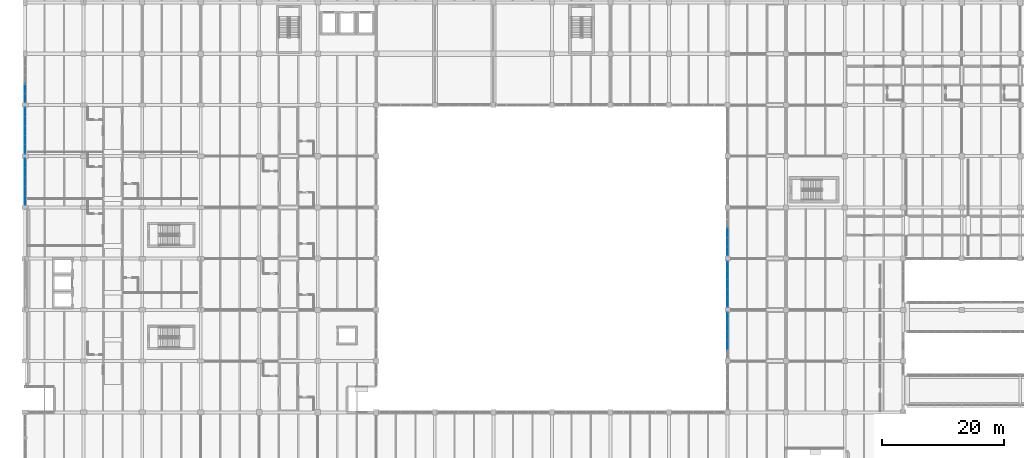
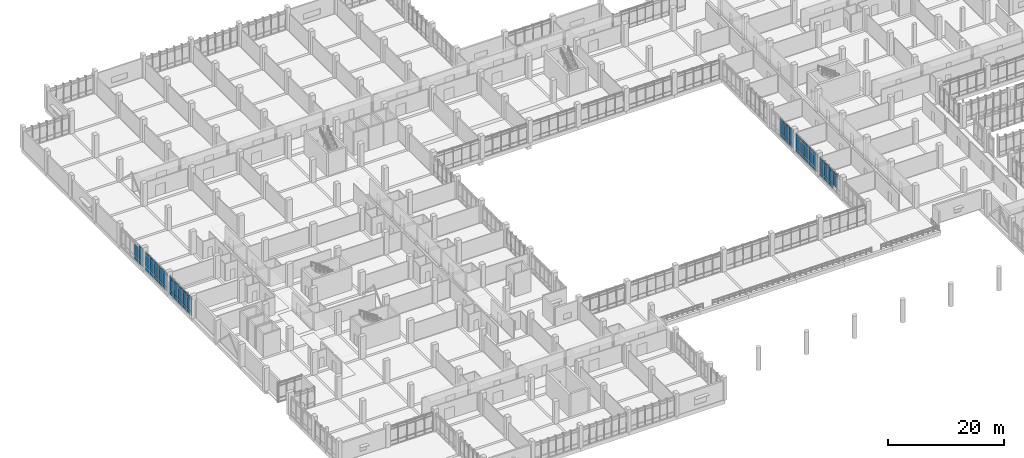
# One storey, part 90 of 152: 70 plates, 6 elements without a shape of their own.
"""IFC4 building model written with IfcOpenShell, lengths in metres."""

from ifc_helpers import new_model, si_unit, direction, frame, origin, origin_2d, place, context, subcontext, project, spatial, rectangle, extrude, material, layer, layer_set, type_object, element, aggregate, save


model = new_model("IFC4")

# Units and contexts
model_context = context("Model", 3, precision=1e-05, world=origin(), true_north=direction((0.0, 1.0)))
body_context = subcontext(model_context, "Body", "Model", "MODEL_VIEW")
ifc_project = project(units=[si_unit("LENGTHUNIT", "METRE"), si_unit("AREAUNIT", "SQUARE_METRE"), si_unit("VOLUMEUNIT", "CUBIC_METRE"), si_unit("PLANEANGLEUNIT", "RADIAN"), si_unit("MASSUNIT", "GRAM", prefix="KILO")], contexts=[model_context])

# Site, building, storey
site_placement = place(None, origin())
site = spatial("IfcSite", under=ifc_project, at=site_placement, CompositionType="ELEMENT")
building_placement = place(site_placement, origin())
building = spatial("IfcBuilding", under=site, at=building_placement, Name="Oolite Switchyard Hospital", CompositionType="ELEMENT")
storey_placement = place(building_placement, frame((0.0, 0.0, 5.10009765625)))
storey = spatial("IfcBuildingStorey", under=building, at=storey_placement, Name="L01", CompositionType="ELEMENT", Elevation=5.10009765625)

# Curtain wall, plates
ifc_material_1 = material(Name="Thermally broken aluminum frame with laminated impact glazing", Category="aluminium")
curtain_wall_type = type_object("IfcCurtainWallType", Name="CW-UNIT-84X48", PredefinedType="USERDEFINED", material=ifc_material_1)
curtain_wall_1_placement = place(storey_placement, origin())
curtain_wall_1 = element("IfcCurtainWall", 1, at=curtain_wall_1_placement, inside=storey, type_object=curtain_wall_type, Name="L01 Unitised Curtain Wall 164", ObjectType="UNITISED", PredefinedType="USERDEFINED")
ifc_material_2 = material(Name="Insulated fluoropolymer-coated aluminum spandrel panel", Category="aluminium")
ifc_layer_1 = layer(ifc_material_2, 0.070068359375)
ifc_layer_set_1 = layer_set([ifc_layer_1], Name="CW-PNL-SPN70")
plate_type_1 = type_object("IfcPlateType", Name="CW-PNL-SPN70", PredefinedType="CURTAIN_PANEL", material=ifc_layer_set_1)
plate_1_placement = place(storey_placement, frame((0.0, 68.346923828125, 0.06005859375), z_axis=(0.0, 0.0, 1.0), x_axis=(0.0, 1.0, 0.0)))
plate_1 = element("IfcPlate", 2, at=plate_1_placement, type_object=plate_type_1, Name="CW-07 panel 1.1", PredefinedType="CURTAIN_PANEL", context=body_context, shape_type="SweptSolid", body=[
    extrude(rectangle(XDim=1.444091796875, YDim=0.070068359375, at=origin_2d()), origin(), (0.0, 0.0, 1.0), 0.760009765625),
])
plate_2_placement = place(storey_placement, frame((0.0, 68.346923828125, 0.8798828125), z_axis=(0.0, 0.0, 1.0), x_axis=(0.0, 1.0, 0.0)))
plate_2 = element("IfcPlate", 3, at=plate_2_placement, type_object=plate_type_1, Name="CW-07 panel 1.2", PredefinedType="CURTAIN_PANEL", context=body_context, shape_type="SweptSolid", body=[
    extrude(rectangle(XDim=1.444091796875, YDim=0.070068359375, at=origin_2d()), origin(), (0.0, 0.0, 1.0), 2.47998046875),
])
plate_3_placement = place(storey_placement, frame((0.0, 68.346923828125, 3.419921875), z_axis=(0.0, 0.0, 1.0), x_axis=(0.0, 1.0, 0.0)))
plate_3 = element("IfcPlate", 4, at=plate_3_placement, type_object=plate_type_1, Name="CW-07 panel 1.3", PredefinedType="CURTAIN_PANEL", context=body_context, shape_type="SweptSolid", body=[
    extrude(rectangle(XDim=1.444091796875, YDim=0.070068359375, at=origin_2d()), origin(), (0.0, 0.0, 1.0), 0.4599609375),
])
plate_4_placement = place(storey_placement, frame((0.0, 69.865966796875, 0.06005859375), z_axis=(0.0, 0.0, 1.0), x_axis=(0.0, 1.0, 0.0)))
plate_4 = element("IfcPlate", 5, at=plate_4_placement, type_object=plate_type_1, Name="CW-07 panel 2.1", PredefinedType="CURTAIN_PANEL", context=body_context, shape_type="SweptSolid", body=[
    extrude(rectangle(XDim=1.47412109375, YDim=0.070068359375, at=origin_2d()), origin(), (0.0, 0.0, 1.0), 0.760009765625),
])
plate_5_placement = place(storey_placement, frame((0.0, 69.865966796875, 0.8798828125), z_axis=(0.0, 0.0, 1.0), x_axis=(0.0, 1.0, 0.0)))
plate_5 = element("IfcPlate", 6, at=plate_5_placement, type_object=plate_type_1, Name="CW-07 panel 2.2", PredefinedType="CURTAIN_PANEL", context=body_context, shape_type="SweptSolid", body=[
    extrude(rectangle(XDim=1.47412109375, YDim=0.070068359375, at=origin_2d()), origin(), (0.0, 0.0, 1.0), 2.47998046875),
])
plate_6_placement = place(storey_placement, frame((0.0, 69.865966796875, 3.419921875), z_axis=(0.0, 0.0, 1.0), x_axis=(0.0, 1.0, 0.0)))
plate_6 = element("IfcPlate", 7, at=plate_6_placement, type_object=plate_type_1, Name="CW-07 panel 2.3", PredefinedType="CURTAIN_PANEL", context=body_context, shape_type="SweptSolid", body=[
    extrude(rectangle(XDim=1.47412109375, YDim=0.070068359375, at=origin_2d()), origin(), (0.0, 0.0, 1.0), 0.4599609375),
])
plate_7_placement = place(storey_placement, frame((0.0, 71.39990234375, 0.06005859375), z_axis=(0.0, 0.0, 1.0), x_axis=(0.0, 1.0, 0.0)))
plate_7 = element("IfcPlate", 8, at=plate_7_placement, type_object=plate_type_1, Name="CW-07 panel 3.1", PredefinedType="CURTAIN_PANEL", context=body_context, shape_type="SweptSolid", body=[
    extrude(rectangle(XDim=1.47412109375, YDim=0.070068359375, at=origin_2d()), origin(), (0.0, 0.0, 1.0), 0.760009765625),
])
plate_8_placement = place(storey_placement, frame((0.0, 71.39990234375, 0.8798828125), z_axis=(0.0, 0.0, 1.0), x_axis=(0.0, 1.0, 0.0)))
plate_8 = element("IfcPlate", 9, at=plate_8_placement, type_object=plate_type_1, Name="CW-07 panel 3.2", PredefinedType="CURTAIN_PANEL", context=body_context, shape_type="SweptSolid", body=[
    extrude(rectangle(XDim=1.47412109375, YDim=0.070068359375, at=origin_2d()), origin(), (0.0, 0.0, 1.0), 2.47998046875),
])
plate_9_placement = place(storey_placement, frame((0.0, 71.39990234375, 3.419921875), z_axis=(0.0, 0.0, 1.0), x_axis=(0.0, 1.0, 0.0)))
plate_9 = element("IfcPlate", 10, at=plate_9_placement, type_object=plate_type_1, Name="CW-07 panel 3.3", PredefinedType="CURTAIN_PANEL", context=body_context, shape_type="SweptSolid", body=[
    extrude(rectangle(XDim=1.47412109375, YDim=0.070068359375, at=origin_2d()), origin(), (0.0, 0.0, 1.0), 0.4599609375),
])
plate_10_placement = place(storey_placement, frame((0.0, 72.93408203125, 0.06005859375), z_axis=(0.0, 0.0, 1.0), x_axis=(0.0, 1.0, 0.0)))
plate_10 = element("IfcPlate", 11, at=plate_10_placement, type_object=plate_type_1, Name="CW-07 panel 4.1", PredefinedType="CURTAIN_PANEL", context=body_context, shape_type="SweptSolid", body=[
    extrude(rectangle(XDim=1.47412109375, YDim=0.070068359375, at=origin_2d()), origin(), (0.0, 0.0, 1.0), 0.760009765625),
])
plate_11_placement = place(storey_placement, frame((0.0, 72.93408203125, 0.8798828125), z_axis=(0.0, 0.0, 1.0), x_axis=(0.0, 1.0, 0.0)))
plate_11 = element("IfcPlate", 12, at=plate_11_placement, type_object=plate_type_1, Name="CW-07 panel 4.2", PredefinedType="CURTAIN_PANEL", context=body_context, shape_type="SweptSolid", body=[
    extrude(rectangle(XDim=1.47412109375, YDim=0.070068359375, at=origin_2d()), origin(), (0.0, 0.0, 1.0), 2.47998046875),
])
plate_12_placement = place(storey_placement, frame((0.0, 72.93408203125, 3.419921875), z_axis=(0.0, 0.0, 1.0), x_axis=(0.0, 1.0, 0.0)))
plate_12 = element("IfcPlate", 13, at=plate_12_placement, type_object=plate_type_1, Name="CW-07 panel 4.3", PredefinedType="CURTAIN_PANEL", context=body_context, shape_type="SweptSolid", body=[
    extrude(rectangle(XDim=1.47412109375, YDim=0.070068359375, at=origin_2d()), origin(), (0.0, 0.0, 1.0), 0.4599609375),
])
plate_13_placement = place(storey_placement, frame((0.0, 74.452880859375, 0.06005859375), z_axis=(0.0, 0.0, 1.0), x_axis=(0.0, 1.0, 0.0)))
plate_13 = element("IfcPlate", 14, at=plate_13_placement, type_object=plate_type_1, Name="CW-07 panel 5.1", PredefinedType="CURTAIN_PANEL", context=body_context, shape_type="SweptSolid", body=[
    extrude(rectangle(XDim=1.444091796875, YDim=0.070068359375, at=origin_2d()), origin(), (0.0, 0.0, 1.0), 0.760009765625),
])
plate_14_placement = place(storey_placement, frame((0.0, 74.452880859375, 0.8798828125), z_axis=(0.0, 0.0, 1.0), x_axis=(0.0, 1.0, 0.0)))
plate_14 = element("IfcPlate", 15, at=plate_14_placement, type_object=plate_type_1, Name="CW-07 panel 5.2", PredefinedType="CURTAIN_PANEL", context=body_context, shape_type="SweptSolid", body=[
    extrude(rectangle(XDim=1.444091796875, YDim=0.070068359375, at=origin_2d()), origin(), (0.0, 0.0, 1.0), 2.47998046875),
])
plate_15_placement = place(storey_placement, frame((0.0, 74.452880859375, 3.419921875), z_axis=(0.0, 0.0, 1.0), x_axis=(0.0, 1.0, 0.0)))
plate_15 = element("IfcPlate", 16, at=plate_15_placement, type_object=plate_type_1, Name="CW-07 panel 5.3", PredefinedType="CURTAIN_PANEL", context=body_context, shape_type="SweptSolid", body=[
    extrude(rectangle(XDim=1.444091796875, YDim=0.070068359375, at=origin_2d()), origin(), (0.0, 0.0, 1.0), 0.4599609375),
])
aggregate(curtain_wall_1, [plate_1, plate_2, plate_3, plate_4, plate_5, plate_6, plate_7, plate_8, plate_9, plate_10, plate_11, plate_12, plate_13, plate_14, plate_15])

curtain_wall_2_placement = place(storey_placement, origin())
curtain_wall_2 = element("IfcCurtainWall", 17, at=curtain_wall_2_placement, inside=storey, type_object=curtain_wall_type, Name="L01 Unitised Curtain Wall 165", ObjectType="UNITISED", PredefinedType="USERDEFINED")
ifc_material_3 = material(Name="Laminated hurricane-impact insulated glazing unit", Category="glass")
ifc_layer_2 = layer(ifc_material_3, 0.028076171875)
ifc_layer_set_2 = layer_set([ifc_layer_2], Name="CW-PNL-VIS28")
plate_type_2 = type_object("IfcPlateType", Name="CW-PNL-VIS28", PredefinedType="CURTAIN_PANEL", material=ifc_layer_set_2)
plate_16_placement = place(storey_placement, frame((0.0, 76.74951171875, 0.07470703125), z_axis=(0.0, 0.0, 1.0), x_axis=(0.0, 1.0, 0.0)))
plate_16 = element("IfcPlate", 18, at=plate_16_placement, type_object=plate_type_2, Name="CW-07 panel 1.1", PredefinedType="CURTAIN_PANEL", context=body_context, shape_type="SweptSolid", body=[
    extrude(rectangle(XDim=1.428955078125, YDim=0.028076171875, at=origin_2d()), origin(), (0.0, 0.0, 1.0), 0.737548828125),
])
plate_17_placement = place(storey_placement, frame((0.0, 76.74951171875, 0.88720703125), z_axis=(0.0, 0.0, 1.0), x_axis=(0.0, 1.0, 0.0)))
plate_17 = element("IfcPlate", 19, at=plate_17_placement, type_object=plate_type_2, Name="CW-07 panel 1.2", PredefinedType="CURTAIN_PANEL", context=body_context, shape_type="SweptSolid", body=[
    extrude(rectangle(XDim=1.428955078125, YDim=0.028076171875, at=origin_2d()), origin(), (0.0, 0.0, 1.0), 2.465087890625),
])
plate_18_placement = place(storey_placement, frame((0.0, 76.74951171875, 3.427490234375), z_axis=(0.0, 0.0, 1.0), x_axis=(0.0, 1.0, 0.0)))
plate_18 = element("IfcPlate", 20, at=plate_18_placement, type_object=plate_type_2, Name="CW-07 panel 1.3", PredefinedType="CURTAIN_PANEL", context=body_context, shape_type="SweptSolid", body=[
    extrude(rectangle(XDim=1.428955078125, YDim=0.028076171875, at=origin_2d()), origin(), (0.0, 0.0, 1.0), 0.4375),
])
plate_19_placement = place(storey_placement, frame((0.0, 78.26611328125, 0.07470703125), z_axis=(0.0, 0.0, 1.0), x_axis=(0.0, 1.0, 0.0)))
plate_19 = element("IfcPlate", 21, at=plate_19_placement, type_object=plate_type_2, Name="CW-07 panel 2.1", PredefinedType="CURTAIN_PANEL", context=body_context, shape_type="SweptSolid", body=[
    extrude(rectangle(XDim=1.464111328125, YDim=0.028076171875, at=origin_2d()), origin(), (0.0, 0.0, 1.0), 0.737548828125),
])
plate_20_placement = place(storey_placement, frame((0.0, 78.26611328125, 0.88720703125), z_axis=(0.0, 0.0, 1.0), x_axis=(0.0, 1.0, 0.0)))
plate_20 = element("IfcPlate", 22, at=plate_20_placement, type_object=plate_type_2, Name="CW-07 panel 2.2", PredefinedType="CURTAIN_PANEL", context=body_context, shape_type="SweptSolid", body=[
    extrude(rectangle(XDim=1.464111328125, YDim=0.028076171875, at=origin_2d()), origin(), (0.0, 0.0, 1.0), 2.465087890625),
])
plate_21_placement = place(storey_placement, frame((0.0, 78.26611328125, 3.427490234375), z_axis=(0.0, 0.0, 1.0), x_axis=(0.0, 1.0, 0.0)))
plate_21 = element("IfcPlate", 23, at=plate_21_placement, type_object=plate_type_2, Name="CW-07 panel 2.3", PredefinedType="CURTAIN_PANEL", context=body_context, shape_type="SweptSolid", body=[
    extrude(rectangle(XDim=1.464111328125, YDim=0.028076171875, at=origin_2d()), origin(), (0.0, 0.0, 1.0), 0.4375),
])
plate_22_placement = place(storey_placement, frame((0.0, 79.800048828125, 0.07470703125), z_axis=(0.0, 0.0, 1.0), x_axis=(0.0, 1.0, 0.0)))
plate_22 = element("IfcPlate", 24, at=plate_22_placement, type_object=plate_type_2, Name="CW-07 panel 3.1", PredefinedType="CURTAIN_PANEL", context=body_context, shape_type="SweptSolid", body=[
    extrude(rectangle(XDim=1.464111328125, YDim=0.028076171875, at=origin_2d()), origin(), (0.0, 0.0, 1.0), 0.737548828125),
])
plate_23_placement = place(storey_placement, frame((0.0, 79.800048828125, 0.88720703125), z_axis=(0.0, 0.0, 1.0), x_axis=(0.0, 1.0, 0.0)))
plate_23 = element("IfcPlate", 25, at=plate_23_placement, type_object=plate_type_2, Name="CW-07 panel 3.2", PredefinedType="CURTAIN_PANEL", context=body_context, shape_type="SweptSolid", body=[
    extrude(rectangle(XDim=1.464111328125, YDim=0.028076171875, at=origin_2d()), origin(), (0.0, 0.0, 1.0), 2.465087890625),
])
plate_24_placement = place(storey_placement, frame((0.0, 79.800048828125, 3.427490234375), z_axis=(0.0, 0.0, 1.0), x_axis=(0.0, 1.0, 0.0)))
plate_24 = element("IfcPlate", 26, at=plate_24_placement, type_object=plate_type_2, Name="CW-07 panel 3.3", PredefinedType="CURTAIN_PANEL", context=body_context, shape_type="SweptSolid", body=[
    extrude(rectangle(XDim=1.464111328125, YDim=0.028076171875, at=origin_2d()), origin(), (0.0, 0.0, 1.0), 0.4375),
])
plate_25_placement = place(storey_placement, frame((0.0, 81.333984375, 0.07470703125), z_axis=(0.0, 0.0, 1.0), x_axis=(0.0, 1.0, 0.0)))
plate_25 = element("IfcPlate", 27, at=plate_25_placement, type_object=plate_type_2, Name="CW-07 panel 4.1", PredefinedType="CURTAIN_PANEL", context=body_context, shape_type="SweptSolid", body=[
    extrude(rectangle(XDim=1.464111328125, YDim=0.028076171875, at=origin_2d()), origin(), (0.0, 0.0, 1.0), 0.737548828125),
])
plate_26_placement = place(storey_placement, frame((0.0, 81.333984375, 0.88720703125), z_axis=(0.0, 0.0, 1.0), x_axis=(0.0, 1.0, 0.0)))
plate_26 = element("IfcPlate", 28, at=plate_26_placement, type_object=plate_type_2, Name="CW-07 panel 4.2", PredefinedType="CURTAIN_PANEL", context=body_context, shape_type="SweptSolid", body=[
    extrude(rectangle(XDim=1.464111328125, YDim=0.028076171875, at=origin_2d()), origin(), (0.0, 0.0, 1.0), 2.465087890625),
])
plate_27_placement = place(storey_placement, frame((0.0, 81.333984375, 3.427490234375), z_axis=(0.0, 0.0, 1.0), x_axis=(0.0, 1.0, 0.0)))
plate_27 = element("IfcPlate", 29, at=plate_27_placement, type_object=plate_type_2, Name="CW-07 panel 4.3", PredefinedType="CURTAIN_PANEL", context=body_context, shape_type="SweptSolid", body=[
    extrude(rectangle(XDim=1.464111328125, YDim=0.028076171875, at=origin_2d()), origin(), (0.0, 0.0, 1.0), 0.4375),
])
plate_28_placement = place(storey_placement, frame((0.0, 82.8505859375, 0.07470703125), z_axis=(0.0, 0.0, 1.0), x_axis=(0.0, 1.0, 0.0)))
plate_28 = element("IfcPlate", 30, at=plate_28_placement, type_object=plate_type_2, Name="CW-07 panel 5.1", PredefinedType="CURTAIN_PANEL", context=body_context, shape_type="SweptSolid", body=[
    extrude(rectangle(XDim=1.428955078125, YDim=0.028076171875, at=origin_2d()), origin(), (0.0, 0.0, 1.0), 0.737548828125),
])
plate_29_placement = place(storey_placement, frame((0.0, 82.8505859375, 0.88720703125), z_axis=(0.0, 0.0, 1.0), x_axis=(0.0, 1.0, 0.0)))
plate_29 = element("IfcPlate", 31, at=plate_29_placement, type_object=plate_type_2, Name="CW-07 panel 5.2", PredefinedType="CURTAIN_PANEL", context=body_context, shape_type="SweptSolid", body=[
    extrude(rectangle(XDim=1.428955078125, YDim=0.028076171875, at=origin_2d()), origin(), (0.0, 0.0, 1.0), 2.465087890625),
])
plate_30_placement = place(storey_placement, frame((0.0, 82.8505859375, 3.427490234375), z_axis=(0.0, 0.0, 1.0), x_axis=(0.0, 1.0, 0.0)))
plate_30 = element("IfcPlate", 32, at=plate_30_placement, type_object=plate_type_2, Name="CW-07 panel 5.3", PredefinedType="CURTAIN_PANEL", context=body_context, shape_type="SweptSolid", body=[
    extrude(rectangle(XDim=1.428955078125, YDim=0.028076171875, at=origin_2d()), origin(), (0.0, 0.0, 1.0), 0.4375),
])
aggregate(curtain_wall_2, [plate_16, plate_17, plate_18, plate_19, plate_20, plate_21, plate_22, plate_23, plate_24, plate_25, plate_26, plate_27, plate_28, plate_29, plate_30])

curtain_wall_3_placement = place(storey_placement, origin())
curtain_wall_3 = element("IfcCurtainWall", 33, at=curtain_wall_3_placement, inside=storey, type_object=curtain_wall_type, Name="L01 Unitised Curtain Wall 166", ObjectType="UNITISED", PredefinedType="USERDEFINED")
ifc_layer_3 = layer(ifc_material_3, 0.031982421875)
ifc_layer_set_3 = layer_set([ifc_layer_3], Name="CW-PNL-VIS32")
plate_type_3 = type_object("IfcPlateType", Name="CW-PNL-VIS32", PredefinedType="CURTAIN_PANEL", material=ifc_layer_set_3)
plate_31_placement = place(storey_placement, frame((0.0, 85.13818359375, 0.06005859375), z_axis=(0.0, 0.0, 1.0), x_axis=(0.0, 1.0, 0.0)))
plate_31 = element("IfcPlate", 34, at=plate_31_placement, type_object=plate_type_3, Name="CW-07 panel 1.1", PredefinedType="CURTAIN_PANEL", context=body_context, shape_type="SweptSolid", body=[
    extrude(rectangle(XDim=1.396484375, YDim=0.031982421875, at=origin_2d()), origin(), (0.0, 0.0, 1.0), 0.760009765625),
])
plate_32_placement = place(storey_placement, frame((0.0, 85.13818359375, 0.8798828125), z_axis=(0.0, 0.0, 1.0), x_axis=(0.0, 1.0, 0.0)))
plate_32 = element("IfcPlate", 35, at=plate_32_placement, type_object=plate_type_3, Name="CW-07 panel 1.2", PredefinedType="CURTAIN_PANEL", context=body_context, shape_type="SweptSolid", body=[
    extrude(rectangle(XDim=1.396484375, YDim=0.031982421875, at=origin_2d()), origin(), (0.0, 0.0, 1.0), 2.47998046875),
])
plate_33_placement = place(storey_placement, frame((0.0, 85.13818359375, 3.419921875), z_axis=(0.0, 0.0, 1.0), x_axis=(0.0, 1.0, 0.0)))
plate_33 = element("IfcPlate", 36, at=plate_33_placement, type_object=plate_type_3, Name="CW-07 panel 1.3", PredefinedType="CURTAIN_PANEL", context=body_context, shape_type="SweptSolid", body=[
    extrude(rectangle(XDim=1.396484375, YDim=0.031982421875, at=origin_2d()), origin(), (0.0, 0.0, 1.0), 0.4599609375),
])
plate_34_placement = place(storey_placement, frame((0.0, 86.62841796875, 0.06005859375), z_axis=(0.0, 0.0, 1.0), x_axis=(0.0, 1.0, 0.0)))
plate_34 = element("IfcPlate", 37, at=plate_34_placement, type_object=plate_type_3, Name="CW-07 panel 2.1", PredefinedType="CURTAIN_PANEL", context=body_context, shape_type="SweptSolid", body=[
    extrude(rectangle(XDim=1.43408203125, YDim=0.031982421875, at=origin_2d()), origin(), (0.0, 0.0, 1.0), 0.760009765625),
])
plate_35_placement = place(storey_placement, frame((0.0, 86.62841796875, 0.8798828125), z_axis=(0.0, 0.0, 1.0), x_axis=(0.0, 1.0, 0.0)))
plate_35 = element("IfcPlate", 38, at=plate_35_placement, type_object=plate_type_3, Name="CW-07 panel 2.2", PredefinedType="CURTAIN_PANEL", context=body_context, shape_type="SweptSolid", body=[
    extrude(rectangle(XDim=1.43408203125, YDim=0.031982421875, at=origin_2d()), origin(), (0.0, 0.0, 1.0), 2.47998046875),
])
aggregate(curtain_wall_3, [plate_31, plate_32, plate_33, plate_34, plate_35])

curtain_wall_4_placement = place(storey_placement, origin())
curtain_wall_4 = element("IfcCurtainWall", 39, at=curtain_wall_4_placement, inside=storey, type_object=curtain_wall_type, Name="L01 Unitised Curtain Wall 182", ObjectType="UNITISED", PredefinedType="USERDEFINED")
plate_36_placement = place(storey_placement, frame((115.199951171875, 44.696044921875, 0.8798828125), z_axis=(0.0, 0.0, 1.0), x_axis=(0.0, 1.0, 0.0)))
plate_36 = element("IfcPlate", 40, at=plate_36_placement, type_object=plate_type_3, Name="CW-07 panel 2.2", PredefinedType="CURTAIN_PANEL", context=body_context, shape_type="SweptSolid", body=[
    extrude(rectangle(XDim=1.444091796875, YDim=0.031982421875, at=origin_2d()), origin(), (0.0, 0.0, 1.0), 2.47998046875),
])
plate_37_placement = place(storey_placement, frame((115.199951171875, 44.696044921875, 3.419921875), z_axis=(0.0, 0.0, 1.0), x_axis=(0.0, 1.0, 0.0)))
plate_37 = element("IfcPlate", 41, at=plate_37_placement, type_object=plate_type_3, Name="CW-07 panel 2.3", PredefinedType="CURTAIN_PANEL", context=body_context, shape_type="SweptSolid", body=[
    extrude(rectangle(XDim=1.444091796875, YDim=0.031982421875, at=origin_2d()), origin(), (0.0, 0.0, 1.0), 0.4599609375),
])
plate_38_placement = place(storey_placement, frame((115.199951171875, 46.199951171875, 0.06005859375), z_axis=(0.0, 0.0, 1.0), x_axis=(0.0, 1.0, 0.0)))
plate_38 = element("IfcPlate", 42, at=plate_38_placement, type_object=plate_type_3, Name="CW-07 panel 3.1", PredefinedType="CURTAIN_PANEL", context=body_context, shape_type="SweptSolid", body=[
    extrude(rectangle(XDim=1.444091796875, YDim=0.031982421875, at=origin_2d()), origin(), (0.0, 0.0, 1.0), 0.760009765625),
])
plate_39_placement = place(storey_placement, frame((115.199951171875, 46.199951171875, 0.8798828125), z_axis=(0.0, 0.0, 1.0), x_axis=(0.0, 1.0, 0.0)))
plate_39 = element("IfcPlate", 43, at=plate_39_placement, type_object=plate_type_3, Name="CW-07 panel 3.2", PredefinedType="CURTAIN_PANEL", context=body_context, shape_type="SweptSolid", body=[
    extrude(rectangle(XDim=1.444091796875, YDim=0.031982421875, at=origin_2d()), origin(), (0.0, 0.0, 1.0), 2.47998046875),
])
plate_40_placement = place(storey_placement, frame((115.199951171875, 46.199951171875, 3.419921875), z_axis=(0.0, 0.0, 1.0), x_axis=(0.0, 1.0, 0.0)))
plate_40 = element("IfcPlate", 44, at=plate_40_placement, type_object=plate_type_3, Name="CW-07 panel 3.3", PredefinedType="CURTAIN_PANEL", context=body_context, shape_type="SweptSolid", body=[
    extrude(rectangle(XDim=1.444091796875, YDim=0.031982421875, at=origin_2d()), origin(), (0.0, 0.0, 1.0), 0.4599609375),
])
plate_41_placement = place(storey_placement, frame((115.199951171875, 47.7041015625, 0.06005859375), z_axis=(0.0, 0.0, 1.0), x_axis=(0.0, 1.0, 0.0)))
plate_41 = element("IfcPlate", 45, at=plate_41_placement, type_object=plate_type_3, Name="CW-07 panel 4.1", PredefinedType="CURTAIN_PANEL", context=body_context, shape_type="SweptSolid", body=[
    extrude(rectangle(XDim=1.444091796875, YDim=0.031982421875, at=origin_2d()), origin(), (0.0, 0.0, 1.0), 0.760009765625),
])
plate_42_placement = place(storey_placement, frame((115.199951171875, 47.7041015625, 0.8798828125), z_axis=(0.0, 0.0, 1.0), x_axis=(0.0, 1.0, 0.0)))
plate_42 = element("IfcPlate", 46, at=plate_42_placement, type_object=plate_type_3, Name="CW-07 panel 4.2", PredefinedType="CURTAIN_PANEL", context=body_context, shape_type="SweptSolid", body=[
    extrude(rectangle(XDim=1.444091796875, YDim=0.031982421875, at=origin_2d()), origin(), (0.0, 0.0, 1.0), 2.47998046875),
])
plate_43_placement = place(storey_placement, frame((115.199951171875, 47.7041015625, 3.419921875), z_axis=(0.0, 0.0, 1.0), x_axis=(0.0, 1.0, 0.0)))
plate_43 = element("IfcPlate", 47, at=plate_43_placement, type_object=plate_type_3, Name="CW-07 panel 4.3", PredefinedType="CURTAIN_PANEL", context=body_context, shape_type="SweptSolid", body=[
    extrude(rectangle(XDim=1.444091796875, YDim=0.031982421875, at=origin_2d()), origin(), (0.0, 0.0, 1.0), 0.4599609375),
])
plate_44_placement = place(storey_placement, frame((115.199951171875, 49.193115234375, 0.06005859375), z_axis=(0.0, 0.0, 1.0), x_axis=(0.0, 1.0, 0.0)))
plate_44 = element("IfcPlate", 48, at=plate_44_placement, type_object=plate_type_3, Name="CW-07 panel 5.1", PredefinedType="CURTAIN_PANEL", context=body_context, shape_type="SweptSolid", body=[
    extrude(rectangle(XDim=1.4140625, YDim=0.031982421875, at=origin_2d()), origin(), (0.0, 0.0, 1.0), 0.760009765625),
])
plate_45_placement = place(storey_placement, frame((115.199951171875, 49.193115234375, 0.8798828125), z_axis=(0.0, 0.0, 1.0), x_axis=(0.0, 1.0, 0.0)))
plate_45 = element("IfcPlate", 49, at=plate_45_placement, type_object=plate_type_3, Name="CW-07 panel 5.2", PredefinedType="CURTAIN_PANEL", context=body_context, shape_type="SweptSolid", body=[
    extrude(rectangle(XDim=1.4140625, YDim=0.031982421875, at=origin_2d()), origin(), (0.0, 0.0, 1.0), 2.47998046875),
])
plate_46_placement = place(storey_placement, frame((115.199951171875, 49.193115234375, 3.419921875), z_axis=(0.0, 0.0, 1.0), x_axis=(0.0, 1.0, 0.0)))
plate_46 = element("IfcPlate", 50, at=plate_46_placement, type_object=plate_type_3, Name="CW-07 panel 5.3", PredefinedType="CURTAIN_PANEL", context=body_context, shape_type="SweptSolid", body=[
    extrude(rectangle(XDim=1.4140625, YDim=0.031982421875, at=origin_2d()), origin(), (0.0, 0.0, 1.0), 0.4599609375),
])
aggregate(curtain_wall_4, [plate_36, plate_37, plate_38, plate_39, plate_40, plate_41, plate_42, plate_43, plate_44, plate_45, plate_46])

curtain_wall_5_placement = place(storey_placement, origin())
curtain_wall_5 = element("IfcCurtainWall", 51, at=curtain_wall_5_placement, inside=storey, type_object=curtain_wall_type, Name="L01 Unitised Curtain Wall 183", ObjectType="UNITISED", PredefinedType="USERDEFINED")
ifc_layer_4 = layer(ifc_material_3, 0.035888671875)
ifc_layer_set_4 = layer_set([ifc_layer_4], Name="CW-PNL-VIS36")
plate_type_4 = type_object("IfcPlateType", Name="CW-PNL-VIS36", PredefinedType="CURTAIN_PANEL", material=ifc_layer_set_4)
plate_47_placement = place(storey_placement, frame((115.199951171875, 51.609619140625, 0.07470703125), z_axis=(0.0, 0.0, 1.0), x_axis=(0.0, 1.0, 0.0)))
plate_47 = element("IfcPlate", 52, at=plate_47_placement, type_object=plate_type_4, Name="CW-07 panel 1.1", PredefinedType="CURTAIN_PANEL", context=body_context, shape_type="SweptSolid", body=[
    extrude(rectangle(XDim=1.39892578125, YDim=0.035888671875, at=origin_2d()), origin(), (0.0, 0.0, 1.0), 0.737548828125),
])
plate_48_placement = place(storey_placement, frame((115.199951171875, 51.609619140625, 0.88720703125), z_axis=(0.0, 0.0, 1.0), x_axis=(0.0, 1.0, 0.0)))
plate_48 = element("IfcPlate", 53, at=plate_48_placement, type_object=plate_type_4, Name="CW-07 panel 1.2", PredefinedType="CURTAIN_PANEL", context=body_context, shape_type="SweptSolid", body=[
    extrude(rectangle(XDim=1.39892578125, YDim=0.035888671875, at=origin_2d()), origin(), (0.0, 0.0, 1.0), 2.465087890625),
])
plate_49_placement = place(storey_placement, frame((115.199951171875, 51.609619140625, 3.427490234375), z_axis=(0.0, 0.0, 1.0), x_axis=(0.0, 1.0, 0.0)))
plate_49 = element("IfcPlate", 54, at=plate_49_placement, type_object=plate_type_4, Name="CW-07 panel 1.3", PredefinedType="CURTAIN_PANEL", context=body_context, shape_type="SweptSolid", body=[
    extrude(rectangle(XDim=1.39892578125, YDim=0.035888671875, at=origin_2d()), origin(), (0.0, 0.0, 1.0), 0.4375),
])
plate_50_placement = place(storey_placement, frame((115.199951171875, 53.095947265625, 0.07470703125), z_axis=(0.0, 0.0, 1.0), x_axis=(0.0, 1.0, 0.0)))
plate_50 = element("IfcPlate", 55, at=plate_50_placement, type_object=plate_type_4, Name="CW-07 panel 2.1", PredefinedType="CURTAIN_PANEL", context=body_context, shape_type="SweptSolid", body=[
    extrude(rectangle(XDim=1.43408203125, YDim=0.035888671875, at=origin_2d()), origin(), (0.0, 0.0, 1.0), 0.737548828125),
])
plate_51_placement = place(storey_placement, frame((115.199951171875, 53.095947265625, 0.88720703125), z_axis=(0.0, 0.0, 1.0), x_axis=(0.0, 1.0, 0.0)))
plate_51 = element("IfcPlate", 56, at=plate_51_placement, type_object=plate_type_4, Name="CW-07 panel 2.2", PredefinedType="CURTAIN_PANEL", context=body_context, shape_type="SweptSolid", body=[
    extrude(rectangle(XDim=1.43408203125, YDim=0.035888671875, at=origin_2d()), origin(), (0.0, 0.0, 1.0), 2.465087890625),
])
plate_52_placement = place(storey_placement, frame((115.199951171875, 53.095947265625, 3.427490234375), z_axis=(0.0, 0.0, 1.0), x_axis=(0.0, 1.0, 0.0)))
plate_52 = element("IfcPlate", 57, at=plate_52_placement, type_object=plate_type_4, Name="CW-07 panel 2.3", PredefinedType="CURTAIN_PANEL", context=body_context, shape_type="SweptSolid", body=[
    extrude(rectangle(XDim=1.43408203125, YDim=0.035888671875, at=origin_2d()), origin(), (0.0, 0.0, 1.0), 0.4375),
])
plate_53_placement = place(storey_placement, frame((115.199951171875, 54.60009765625, 0.07470703125), z_axis=(0.0, 0.0, 1.0), x_axis=(0.0, 1.0, 0.0)))
plate_53 = element("IfcPlate", 58, at=plate_53_placement, type_object=plate_type_4, Name="CW-07 panel 3.1", PredefinedType="CURTAIN_PANEL", context=body_context, shape_type="SweptSolid", body=[
    extrude(rectangle(XDim=1.43408203125, YDim=0.035888671875, at=origin_2d()), origin(), (0.0, 0.0, 1.0), 0.737548828125),
])
plate_54_placement = place(storey_placement, frame((115.199951171875, 54.60009765625, 0.88720703125), z_axis=(0.0, 0.0, 1.0), x_axis=(0.0, 1.0, 0.0)))
plate_54 = element("IfcPlate", 59, at=plate_54_placement, type_object=plate_type_4, Name="CW-07 panel 3.2", PredefinedType="CURTAIN_PANEL", context=body_context, shape_type="SweptSolid", body=[
    extrude(rectangle(XDim=1.43408203125, YDim=0.035888671875, at=origin_2d()), origin(), (0.0, 0.0, 1.0), 2.465087890625),
])
plate_55_placement = place(storey_placement, frame((115.199951171875, 54.60009765625, 3.427490234375), z_axis=(0.0, 0.0, 1.0), x_axis=(0.0, 1.0, 0.0)))
plate_55 = element("IfcPlate", 60, at=plate_55_placement, type_object=plate_type_4, Name="CW-07 panel 3.3", PredefinedType="CURTAIN_PANEL", context=body_context, shape_type="SweptSolid", body=[
    extrude(rectangle(XDim=1.43408203125, YDim=0.035888671875, at=origin_2d()), origin(), (0.0, 0.0, 1.0), 0.4375),
])
plate_56_placement = place(storey_placement, frame((115.199951171875, 56.10400390625, 0.07470703125), z_axis=(0.0, 0.0, 1.0), x_axis=(0.0, 1.0, 0.0)))
plate_56 = element("IfcPlate", 61, at=plate_56_placement, type_object=plate_type_4, Name="CW-07 panel 4.1", PredefinedType="CURTAIN_PANEL", context=body_context, shape_type="SweptSolid", body=[
    extrude(rectangle(XDim=1.43408203125, YDim=0.035888671875, at=origin_2d()), origin(), (0.0, 0.0, 1.0), 0.737548828125),
])
plate_57_placement = place(storey_placement, frame((115.199951171875, 56.10400390625, 0.88720703125), z_axis=(0.0, 0.0, 1.0), x_axis=(0.0, 1.0, 0.0)))
plate_57 = element("IfcPlate", 62, at=plate_57_placement, type_object=plate_type_4, Name="CW-07 panel 4.2", PredefinedType="CURTAIN_PANEL", context=body_context, shape_type="SweptSolid", body=[
    extrude(rectangle(XDim=1.43408203125, YDim=0.035888671875, at=origin_2d()), origin(), (0.0, 0.0, 1.0), 2.465087890625),
])
plate_58_placement = place(storey_placement, frame((115.199951171875, 56.10400390625, 3.427490234375), z_axis=(0.0, 0.0, 1.0), x_axis=(0.0, 1.0, 0.0)))
plate_58 = element("IfcPlate", 63, at=plate_58_placement, type_object=plate_type_4, Name="CW-07 panel 4.3", PredefinedType="CURTAIN_PANEL", context=body_context, shape_type="SweptSolid", body=[
    extrude(rectangle(XDim=1.43408203125, YDim=0.035888671875, at=origin_2d()), origin(), (0.0, 0.0, 1.0), 0.4375),
])
plate_59_placement = place(storey_placement, frame((115.199951171875, 57.590576171875, 0.07470703125), z_axis=(0.0, 0.0, 1.0), x_axis=(0.0, 1.0, 0.0)))
plate_59 = element("IfcPlate", 64, at=plate_59_placement, type_object=plate_type_4, Name="CW-07 panel 5.1", PredefinedType="CURTAIN_PANEL", context=body_context, shape_type="SweptSolid", body=[
    extrude(rectangle(XDim=1.39892578125, YDim=0.035888671875, at=origin_2d()), origin(), (0.0, 0.0, 1.0), 0.737548828125),
])
plate_60_placement = place(storey_placement, frame((115.199951171875, 57.590576171875, 0.88720703125), z_axis=(0.0, 0.0, 1.0), x_axis=(0.0, 1.0, 0.0)))
plate_60 = element("IfcPlate", 65, at=plate_60_placement, type_object=plate_type_4, Name="CW-07 panel 5.2", PredefinedType="CURTAIN_PANEL", context=body_context, shape_type="SweptSolid", body=[
    extrude(rectangle(XDim=1.39892578125, YDim=0.035888671875, at=origin_2d()), origin(), (0.0, 0.0, 1.0), 2.465087890625),
])
plate_61_placement = place(storey_placement, frame((115.199951171875, 57.590576171875, 3.427490234375), z_axis=(0.0, 0.0, 1.0), x_axis=(0.0, 1.0, 0.0)))
plate_61 = element("IfcPlate", 66, at=plate_61_placement, type_object=plate_type_4, Name="CW-07 panel 5.3", PredefinedType="CURTAIN_PANEL", context=body_context, shape_type="SweptSolid", body=[
    extrude(rectangle(XDim=1.39892578125, YDim=0.035888671875, at=origin_2d()), origin(), (0.0, 0.0, 1.0), 0.4375),
])
aggregate(curtain_wall_5, [plate_47, plate_48, plate_49, plate_50, plate_51, plate_52, plate_53, plate_54, plate_55, plate_56, plate_57, plate_58, plate_59, plate_60, plate_61])

curtain_wall_6_placement = place(storey_placement, origin())
curtain_wall_6 = element("IfcCurtainWall", 67, at=curtain_wall_6_placement, inside=storey, type_object=curtain_wall_type, Name="L01 Unitised Curtain Wall 184", ObjectType="UNITISED", PredefinedType="USERDEFINED")
ifc_layer_5 = layer(ifc_material_3, 0.0419921875)
ifc_layer_set_5 = layer_set([ifc_layer_5], Name="CW-PNL-VIS42")
plate_type_5 = type_object("IfcPlateType", Name="CW-PNL-VIS42", PredefinedType="CURTAIN_PANEL", material=ifc_layer_set_5)
plate_62_placement = place(storey_placement, frame((115.199951171875, 60.0107421875, 0.06005859375), z_axis=(0.0, 0.0, 1.0), x_axis=(0.0, 1.0, 0.0)))
plate_62 = element("IfcPlate", 68, at=plate_62_placement, type_object=plate_type_5, Name="CW-07 panel 1.1", PredefinedType="CURTAIN_PANEL", context=body_context, shape_type="SweptSolid", body=[
    extrude(rectangle(XDim=1.3916015625, YDim=0.0419921875, at=origin_2d()), origin(), (0.0, 0.0, 1.0), 0.760009765625),
])
plate_63_placement = place(storey_placement, frame((115.199951171875, 60.0107421875, 0.8798828125), z_axis=(0.0, 0.0, 1.0), x_axis=(0.0, 1.0, 0.0)))
plate_63 = element("IfcPlate", 69, at=plate_63_placement, type_object=plate_type_5, Name="CW-07 panel 1.2", PredefinedType="CURTAIN_PANEL", context=body_context, shape_type="SweptSolid", body=[
    extrude(rectangle(XDim=1.3916015625, YDim=0.0419921875, at=origin_2d()), origin(), (0.0, 0.0, 1.0), 2.47998046875),
])
plate_64_placement = place(storey_placement, frame((115.199951171875, 60.0107421875, 3.419921875), z_axis=(0.0, 0.0, 1.0), x_axis=(0.0, 1.0, 0.0)))
plate_64 = element("IfcPlate", 70, at=plate_64_placement, type_object=plate_type_5, Name="CW-07 panel 1.3", PredefinedType="CURTAIN_PANEL", context=body_context, shape_type="SweptSolid", body=[
    extrude(rectangle(XDim=1.3916015625, YDim=0.0419921875, at=origin_2d()), origin(), (0.0, 0.0, 1.0), 0.4599609375),
])
plate_65_placement = place(storey_placement, frame((115.199951171875, 61.49609375, 0.06005859375), z_axis=(0.0, 0.0, 1.0), x_axis=(0.0, 1.0, 0.0)))
plate_65 = element("IfcPlate", 71, at=plate_65_placement, type_object=plate_type_5, Name="CW-07 panel 2.1", PredefinedType="CURTAIN_PANEL", context=body_context, shape_type="SweptSolid", body=[
    extrude(rectangle(XDim=1.428955078125, YDim=0.0419921875, at=origin_2d()), origin(), (0.0, 0.0, 1.0), 0.760009765625),
])
plate_66_placement = place(storey_placement, frame((115.199951171875, 61.49609375, 0.8798828125), z_axis=(0.0, 0.0, 1.0), x_axis=(0.0, 1.0, 0.0)))
plate_66 = element("IfcPlate", 72, at=plate_66_placement, type_object=plate_type_5, Name="CW-07 panel 2.2", PredefinedType="CURTAIN_PANEL", context=body_context, shape_type="SweptSolid", body=[
    extrude(rectangle(XDim=1.428955078125, YDim=0.0419921875, at=origin_2d()), origin(), (0.0, 0.0, 1.0), 2.47998046875),
])
plate_67_placement = place(storey_placement, frame((115.199951171875, 61.49609375, 3.419921875), z_axis=(0.0, 0.0, 1.0), x_axis=(0.0, 1.0, 0.0)))
plate_67 = element("IfcPlate", 73, at=plate_67_placement, type_object=plate_type_5, Name="CW-07 panel 2.3", PredefinedType="CURTAIN_PANEL", context=body_context, shape_type="SweptSolid", body=[
    extrude(rectangle(XDim=1.428955078125, YDim=0.0419921875, at=origin_2d()), origin(), (0.0, 0.0, 1.0), 0.4599609375),
])
plate_68_placement = place(storey_placement, frame((115.199951171875, 63.0, 0.06005859375), z_axis=(0.0, 0.0, 1.0), x_axis=(0.0, 1.0, 0.0)))
plate_68 = element("IfcPlate", 74, at=plate_68_placement, type_object=plate_type_5, Name="CW-07 panel 3.1", PredefinedType="CURTAIN_PANEL", context=body_context, shape_type="SweptSolid", body=[
    extrude(rectangle(XDim=1.428955078125, YDim=0.0419921875, at=origin_2d()), origin(), (0.0, 0.0, 1.0), 0.760009765625),
])
plate_69_placement = place(storey_placement, frame((115.199951171875, 63.0, 0.8798828125), z_axis=(0.0, 0.0, 1.0), x_axis=(0.0, 1.0, 0.0)))
plate_69 = element("IfcPlate", 75, at=plate_69_placement, type_object=plate_type_5, Name="CW-07 panel 3.2", PredefinedType="CURTAIN_PANEL", context=body_context, shape_type="SweptSolid", body=[
    extrude(rectangle(XDim=1.428955078125, YDim=0.0419921875, at=origin_2d()), origin(), (0.0, 0.0, 1.0), 2.47998046875),
])
plate_70_placement = place(storey_placement, frame((115.199951171875, 63.0, 3.419921875), z_axis=(0.0, 0.0, 1.0), x_axis=(0.0, 1.0, 0.0)))
plate_70 = element("IfcPlate", 76, at=plate_70_placement, type_object=plate_type_5, Name="CW-07 panel 3.3", PredefinedType="CURTAIN_PANEL", context=body_context, shape_type="SweptSolid", body=[
    extrude(rectangle(XDim=1.428955078125, YDim=0.0419921875, at=origin_2d()), origin(), (0.0, 0.0, 1.0), 0.4599609375),
])
aggregate(curtain_wall_6, [plate_62, plate_63, plate_64, plate_65, plate_66, plate_67, plate_68, plate_69, plate_70])

save(model, "model.ifc")
